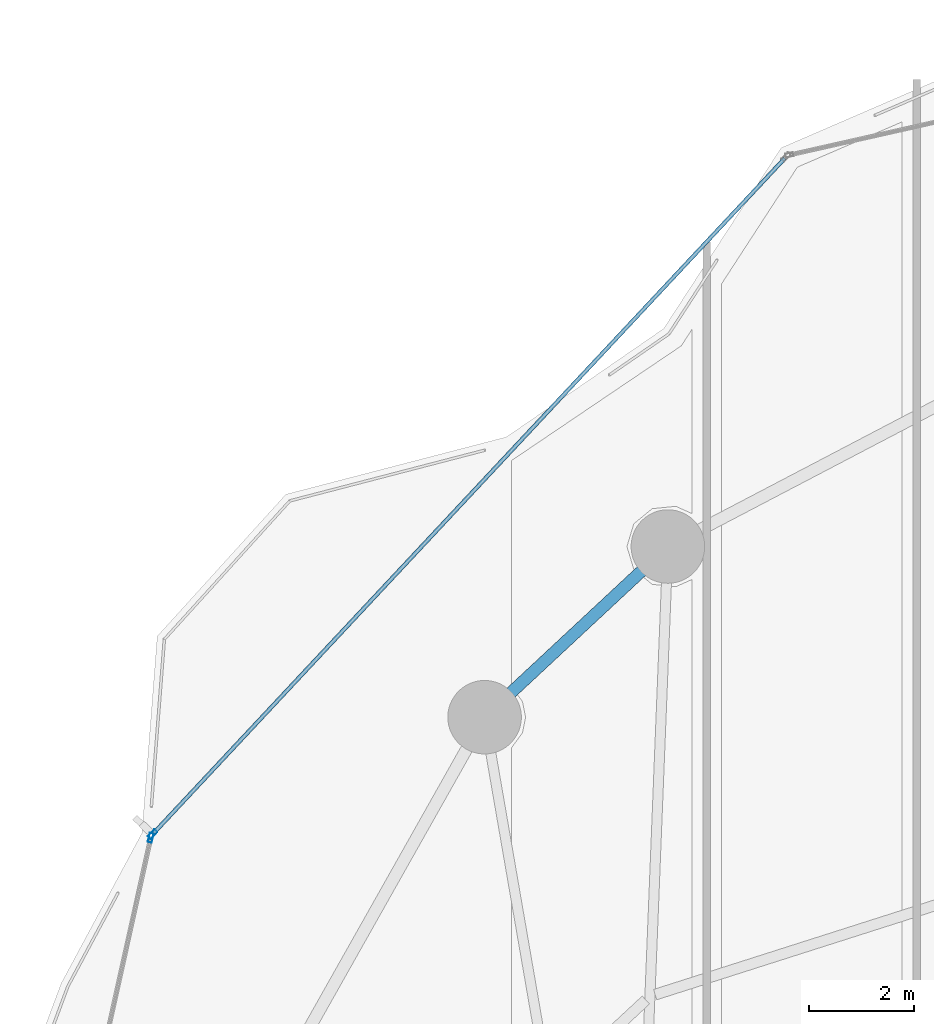
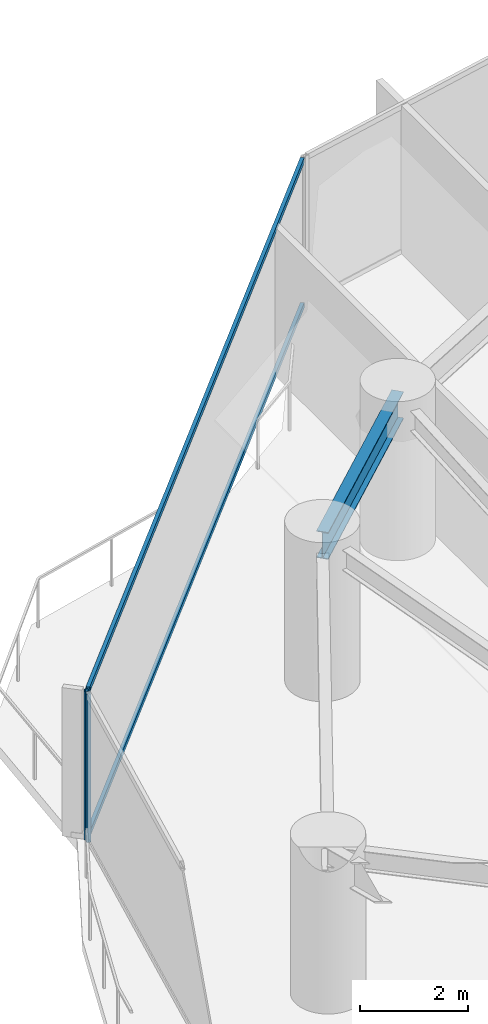
# One storey, part 16 of 32: 4 members, 1 beam, 2 elements without a shape of their own.
"""IFC4 building model written with IfcOpenShell, lengths in metres."""

from ifc_helpers import new_model, si_unit, direction, frame, origin, origin_2d, place, context, subcontext, project, spatial, hollow_rectangle, i_section, extrude, material, layer, layer_set, material_profile, profile_set, type_object, element, aggregate, save


model = new_model("IFC4")

# Units and contexts
model_context = context("Model", 3, precision=1e-05, world=origin(), true_north=direction((0.0, 1.0)))
body_context = subcontext(model_context, "Body", "Model", "MODEL_VIEW")
ifc_project = project(units=[si_unit("LENGTHUNIT", "METRE"), si_unit("AREAUNIT", "SQUARE_METRE"), si_unit("VOLUMEUNIT", "CUBIC_METRE"), si_unit("PLANEANGLEUNIT", "RADIAN"), si_unit("MASSUNIT", "GRAM", prefix="KILO")], contexts=[model_context])

# Site, building, storey
site_placement = place(None, origin())
site = spatial("IfcSite", under=ifc_project, at=site_placement, CompositionType="ELEMENT")
building_placement = place(site_placement, origin())
building = spatial("IfcBuilding", under=site, at=building_placement, Name="Kazevale Care Tower and Concert Hall", CompositionType="ELEMENT")
storey_placement = place(building_placement, frame((0.0, 0.0, 24.0)))
storey = spatial("IfcBuildingStorey", under=building, at=storey_placement, Name="L05", CompositionType="ELEMENT", Elevation=24.0)

# Curtain wall, members
ifc_material_1 = material(Name="Aluminium 6063-T6 and Low-E Glass", Category="aluminium")
ifc_layer_1 = layer(ifc_material_1, 0.179931640625)
ifc_layer_set_1 = layer_set([ifc_layer_1], Name="Aluminium 6063-T6 and Low-E Glass")
curtain_wall_type_1 = type_object("IfcCurtainWallType", Name="Convex Checkerboard Finned Curtain Wall CW-2", PredefinedType="NOTDEFINED", material=ifc_layer_set_1)
curtain_wall_1_placement = place(storey_placement, origin())
curtain_wall_1 = element("IfcCurtainWall", 1, at=curtain_wall_1_placement, inside=storey, type_object=curtain_wall_type_1, Name="cw:L05:f14", PredefinedType="NOTDEFINED")
ifc_material_2 = material(Name="Aluminium 6063-T6", Category="aluminium")
ifc_material_profile_1 = material_profile(ifc_material_2, hollow_rectangle(XDim=0.080078125, YDim=0.179931640625, WallThickness=0.0048828125, at=origin_2d()), Name="ALU80x180x5")
ifc_profile_set_1 = profile_set([ifc_material_profile_1], Name="Aluminium 6063-T6")
member_type_1 = type_object("IfcMemberType", Name="CW-2 Mullion ALU80x180x5", PredefinedType="MULLION", material=ifc_profile_set_1)
member_1_placement = place(storey_placement, frame((12.94921875, 49.9521484375, 0.0), z_axis=(0.0, 0.0, 1.0), x_axis=(-0.730363049987, 0.683059159381, 0.0)))
member_1 = element("IfcMember", 2, at=member_1_placement, type_object=member_type_1, Name="CW-2 mullion 1", PredefinedType="MULLION", context=body_context, shape_type="SweptSolid", body=[
    extrude(hollow_rectangle(XDim=0.080078125, YDim=0.179931640625, WallThickness=0.0048828125, at=origin_2d()), origin(), (0.0, 0.0, 1.0), 3.360107421875),
])
ifc_material_profile_2 = material_profile(ifc_material_2, hollow_rectangle(XDim=0.074951171875, YDim=0.1201171875, WallThickness=0.00390625, at=origin_2d()), Name="ALU75x120x4")
ifc_profile_set_2 = profile_set([ifc_material_profile_2], Name="Aluminium 6063-T6")
member_type_2 = type_object("IfcMemberType", Name="CW-2 Transom ALU75x120x4", PredefinedType="USERDEFINED", material=ifc_profile_set_2)
member_2_placement = place(storey_placement, frame((12.9765625, 49.9814453125, 0.03759765625), z_axis=(0.68306321414, 0.730359257823, 0.0), x_axis=(-0.730359257823, 0.68306321414, 0.0)))
member_2 = element("IfcMember", 3, at=member_2_placement, type_object=member_type_2, Name="CW-2 transom 1.1", ObjectType="TRANSOM", PredefinedType="USERDEFINED", context=body_context, shape_type="SweptSolid", body=[
    extrude(hollow_rectangle(XDim=0.074951171875, YDim=0.1201171875, WallThickness=0.00390625, at=origin_2d()), origin(), (0.0, 0.0, 1.0), 17.576416015625),
])
member_3_placement = place(storey_placement, frame((12.9765625, 49.9814453125, 3.322509765625), z_axis=(0.68306321414, 0.730359257823, 0.0), x_axis=(-0.730359257823, 0.68306321414, 0.0)))
member_3 = element("IfcMember", 4, at=member_3_placement, type_object=member_type_2, Name="CW-2 transom 1.2", ObjectType="TRANSOM", PredefinedType="USERDEFINED", context=body_context, shape_type="SweptSolid", body=[
    extrude(hollow_rectangle(XDim=0.074951171875, YDim=0.1201171875, WallThickness=0.00390625, at=origin_2d()), origin(), (0.0, 0.0, 1.0), 17.576416015625),
])
aggregate(curtain_wall_1, [member_1, member_2, member_3])

# Curtain wall, member
ifc_layer_2 = layer(ifc_material_1, 0.179931640625)
ifc_layer_set_2 = layer_set([ifc_layer_2], Name="Aluminium 6063-T6 and Low-E Glass")
curtain_wall_type_2 = type_object("IfcCurtainWallType", Name="Waist & Upper Residential Curtain Wall CW-4", PredefinedType="NOTDEFINED", material=ifc_layer_set_2)
curtain_wall_2_placement = place(storey_placement, origin())
curtain_wall_2 = element("IfcCurtainWall", 5, at=curtain_wall_2_placement, inside=storey, type_object=curtain_wall_type_2, Name="cw:L05:f13", PredefinedType="NOTDEFINED")
ifc_material_profile_3 = material_profile(ifc_material_2, hollow_rectangle(XDim=0.080078125, YDim=0.179931640625, WallThickness=0.0048828125, at=origin_2d()), Name="ALU80x180x5")
ifc_profile_set_3 = profile_set([ifc_material_profile_3], Name="Aluminium 6063-T6")
member_type_3 = type_object("IfcMemberType", Name="CW-4 Mullion ALU80x180x5", PredefinedType="MULLION", material=ifc_profile_set_3)
member_4_placement = place(storey_placement, frame((12.913330078125, 49.884033203125, 0.0), z_axis=(0.0, 0.0, 1.0), x_axis=(-0.976291328475, 0.216460716862, 0.0)))
member_4 = element("IfcMember", 6, at=member_4_placement, type_object=member_type_3, Name="CW-4 mullion 2", PredefinedType="MULLION", context=body_context, shape_type="SweptSolid", body=[
    extrude(hollow_rectangle(XDim=0.080078125, YDim=0.179931640625, WallThickness=0.0048828125, at=origin_2d()), origin(), (0.0, 0.0, 1.0), 3.360107421875),
])
aggregate(curtain_wall_2, [member_4])

# Beam
ifc_material_3 = material(Name="Steel ASTM A572 Gr 50", Category="steel")
ifc_material_profile_4 = material_profile(ifc_material_3, i_section(OverallWidth=0.22900390625, OverallDepth=0.612060546875, WebThickness=0.011962890625, FlangeThickness=0.01953125, at=origin_2d()), Name="W610x125")
ifc_profile_set_4 = profile_set([ifc_material_profile_4], Name="Steel ASTM A572 Gr 50")
beam_type = type_object("IfcBeamType", Name="Ring Spandrel Beam W610x125", PredefinedType="SPANDREL", material=ifc_profile_set_4)
beam_placement = place(storey_placement, frame((22.760009765625, 55.429931640625, 3.053955078125), z_axis=(-0.731820896228, -0.681497010884, 0.0), x_axis=(0.681497010884, -0.731820896228, 0.0)))
element("IfcBeam", 7, at=beam_placement, inside=storey, type_object=beam_type, Name="beam:L05:ring:07", PredefinedType="SPANDREL", context=body_context, shape_type="SweptSolid", body=[
    extrude(i_section(OverallWidth=0.22900390625, OverallDepth=0.612060546875, WebThickness=0.011962890625, FlangeThickness=0.01953125, at=origin_2d()), origin(), (0.0, 0.0, 1.0), 4.768798828125),
])

save(model, "model.ifc")
